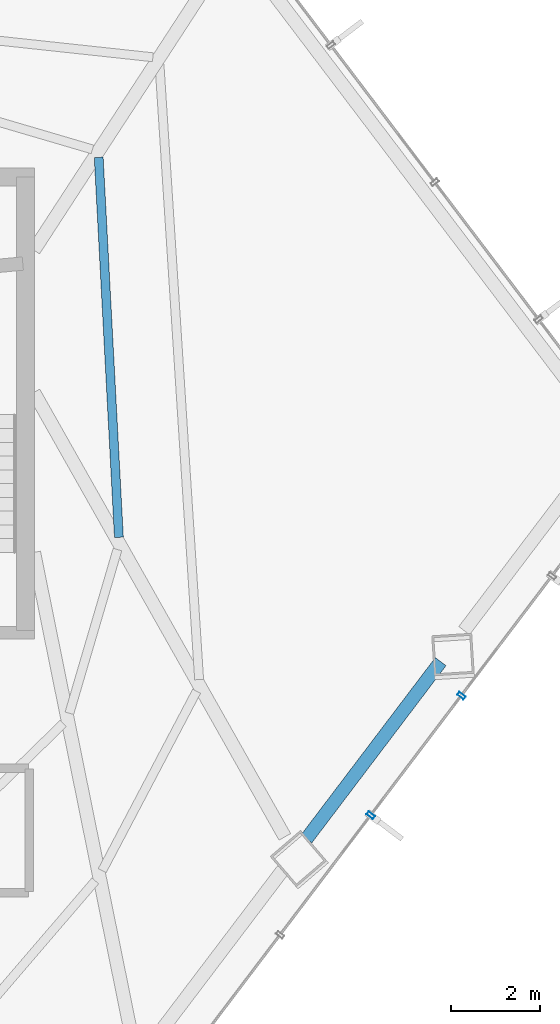
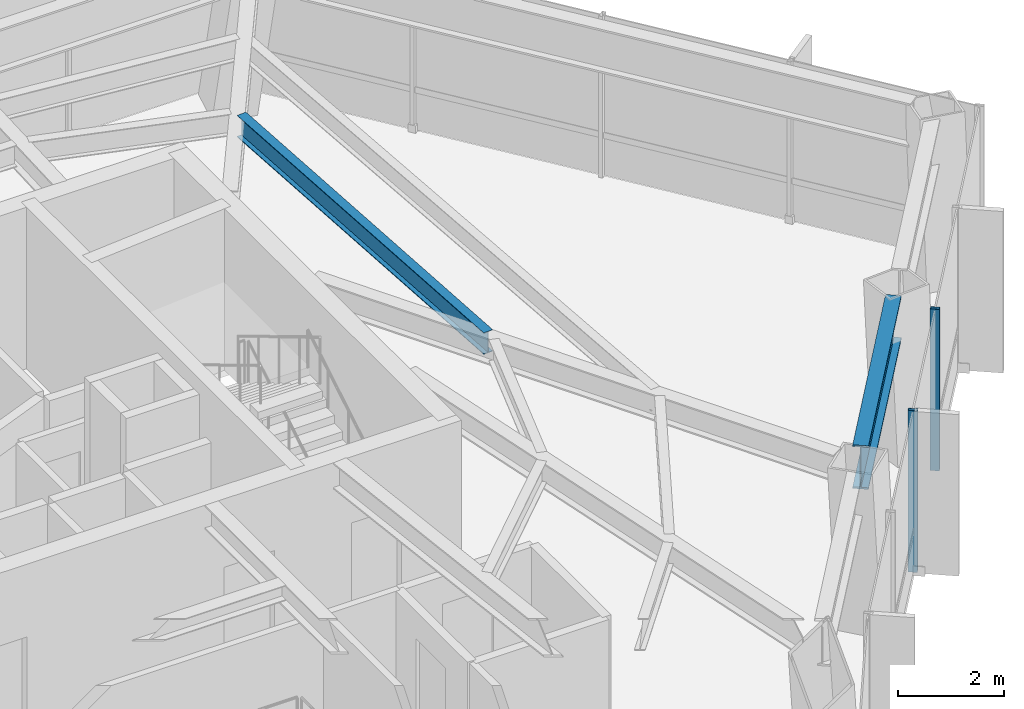
# One storey, part 17 of 25: 2 beams, 2 members, 1 element without a shape of its own.
"""IFC4 building model written with IfcOpenShell, lengths in metres."""

from ifc_helpers import new_model, si_unit, direction, frame, origin, origin_2d, place, context, subcontext, project, spatial, hollow_rectangle, i_section, extrude, material, layer, layer_set, material_profile, profile_set, type_object, element, aggregate, save


model = new_model("IFC4")

# Units and contexts
model_context = context("Model", 3, precision=1e-05, world=origin(), true_north=direction((0.0, 1.0)))
body_context = subcontext(model_context, "Body", "Model", "MODEL_VIEW")
ifc_project = project(units=[si_unit("LENGTHUNIT", "METRE"), si_unit("AREAUNIT", "SQUARE_METRE"), si_unit("VOLUMEUNIT", "CUBIC_METRE"), si_unit("PLANEANGLEUNIT", "RADIAN"), si_unit("MASSUNIT", "GRAM", prefix="KILO")], contexts=[model_context])

# Site, building, storey
site_placement = place(None, origin())
site = spatial("IfcSite", under=ifc_project, at=site_placement, CompositionType="ELEMENT")
building_placement = place(site_placement, origin())
building = spatial("IfcBuilding", under=site, at=building_placement, Name="Zarrinselat Tower", CompositionType="ELEMENT")
storey_placement = place(building_placement, frame((0.0, 0.0, 105.06005859375)))
storey = spatial("IfcBuildingStorey", under=building, at=storey_placement, Name="L25", CompositionType="ELEMENT", Elevation=105.06005859375)

# Beams
ifc_material_1 = material(Name="Steel S460M", Category="steel")
ifc_material_profile_1 = material_profile(ifc_material_1, i_section(OverallWidth=0.302001953125, OverallDepth=1.008056640625, WebThickness=0.02099609375, FlangeThickness=0.0400390625, at=origin_2d()), Name="HEM 1000")
ifc_profile_set_1 = profile_set([ifc_material_profile_1], Name="Steel S460M")
beam_type_1 = type_object("IfcBeamType", Name="BM-HEM1000", PredefinedType="BEAM", material=ifc_profile_set_1)
beam_1_placement = place(storey_placement, frame((54.58154296875, 28.559326171875, 3.225830078125), z_axis=(0.603844526821, 0.79710211857, 0.0), x_axis=(-0.79710211857, 0.603844526821, 0.0)))
element("IfcBeam", 1, at=beam_1_placement, inside=storey, type_object=beam_type_1, Name="L25 Perimeter Spandrel Girder SP13", PredefinedType="BEAM", context=body_context, shape_type="SweptSolid", body=[
    extrude(i_section(OverallWidth=0.302001953125, OverallDepth=1.008056640625, WebThickness=0.02099609375, FlangeThickness=0.0400390625, at=origin_2d()), origin(), (0.0, 0.0, 1.0), 5.0),
])
ifc_material_2 = material(Name="Steel S355J2", Category="steel")
ifc_material_profile_2 = material_profile(ifc_material_2, i_section(OverallWidth=0.199951171875, OverallDepth=0.5, WebThickness=0.01025390625, FlangeThickness=0.01611328125, at=origin_2d()), Name="IPE 500")
ifc_profile_set_2 = profile_set([ifc_material_profile_2], Name="Steel S355J2")
beam_type_2 = type_object("IfcBeamType", Name="BM-IPE500", PredefinedType="JOIST", material=ifc_profile_set_2)
beam_2_placement = place(storey_placement, frame((49.90771484375, 43.888671875, 3.47998046875), z_axis=(0.053051347333, -0.998591785739, 0.0), x_axis=(0.998591785739, 0.053051347333, 0.0)))
element("IfcBeam", 2, at=beam_2_placement, inside=storey, type_object=beam_type_2, Name="L25 Composite Floor Joist 5-2", PredefinedType="JOIST", context=body_context, shape_type="SweptSolid", body=[
    extrude(i_section(OverallWidth=0.199951171875, OverallDepth=0.5, WebThickness=0.01025390625, FlangeThickness=0.01611328125, at=origin_2d()), origin(), (0.0, 0.0, 1.0), 8.5595703125),
])

# Curtain wall, members
ifc_material_3 = material(Name="Extruded Aluminium Alloy EN AW-6063 T6", Category="aluminium")
ifc_layer = layer(ifc_material_3, 0.18505859375)
ifc_layer_set = layer_set([ifc_layer], Name="Extruded Aluminium Alloy EN AW-6063 T6")
curtain_wall_type = type_object("IfcCurtainWallType", Name="CWS-OFF", PredefinedType="NOTDEFINED", material=ifc_layer_set)
curtain_wall_placement = place(storey_placement, origin())
curtain_wall = element("IfcCurtainWall", 3, at=curtain_wall_placement, inside=storey, type_object=curtain_wall_type, Name="L25 Unitised Curtain Wall CW-L25-E05", PredefinedType="NOTDEFINED")
ifc_material_4 = material(Name="Extruded Aluminium Alloy EN AW-6063 T6", Category="aluminium")
ifc_material_profile_3 = material_profile(ifc_material_4, hollow_rectangle(XDim=0.080078125, YDim=0.179931640625, WallThickness=0.0048828125, at=origin_2d()), Name="RHS 180x80x5")
ifc_profile_set_3 = profile_set([ifc_material_profile_3], Name="Extruded Aluminium Alloy EN AW-6063 T6")
member_type = type_object("IfcMemberType", Name="MEM-CW-MUL", PredefinedType="MULLION", material=ifc_profile_set_3)
member_1_placement = place(storey_placement, frame((56.027587890625, 29.08837890625, 0.0), z_axis=(0.0, 0.0, 1.0), x_axis=(0.603858013909, 0.79709190125, 0.0)))
member_1 = element("IfcMember", 4, at=member_1_placement, type_object=member_type, Name="CW-L25-E05 Mullion 5", PredefinedType="MULLION", context=body_context, shape_type="SweptSolid", body=[
    extrude(hollow_rectangle(XDim=0.080078125, YDim=0.179931640625, WallThickness=0.0048828125, at=origin_2d()), origin(), (0.0, 0.0, 1.0), 3.72998046875),
])
member_2_placement = place(storey_placement, frame((58.06591796875, 31.779052734375, 0.0), z_axis=(0.0, 0.0, 1.0), x_axis=(0.603858013909, 0.79709190125, 0.0)))
member_2 = element("IfcMember", 5, at=member_2_placement, type_object=member_type, Name="CW-L25-E05 Mullion 6", PredefinedType="MULLION", context=body_context, shape_type="SweptSolid", body=[
    extrude(hollow_rectangle(XDim=0.080078125, YDim=0.179931640625, WallThickness=0.0048828125, at=origin_2d()), origin(), (0.0, 0.0, 1.0), 3.72998046875),
])
aggregate(curtain_wall, [member_1, member_2])

save(model, "model.ifc")
